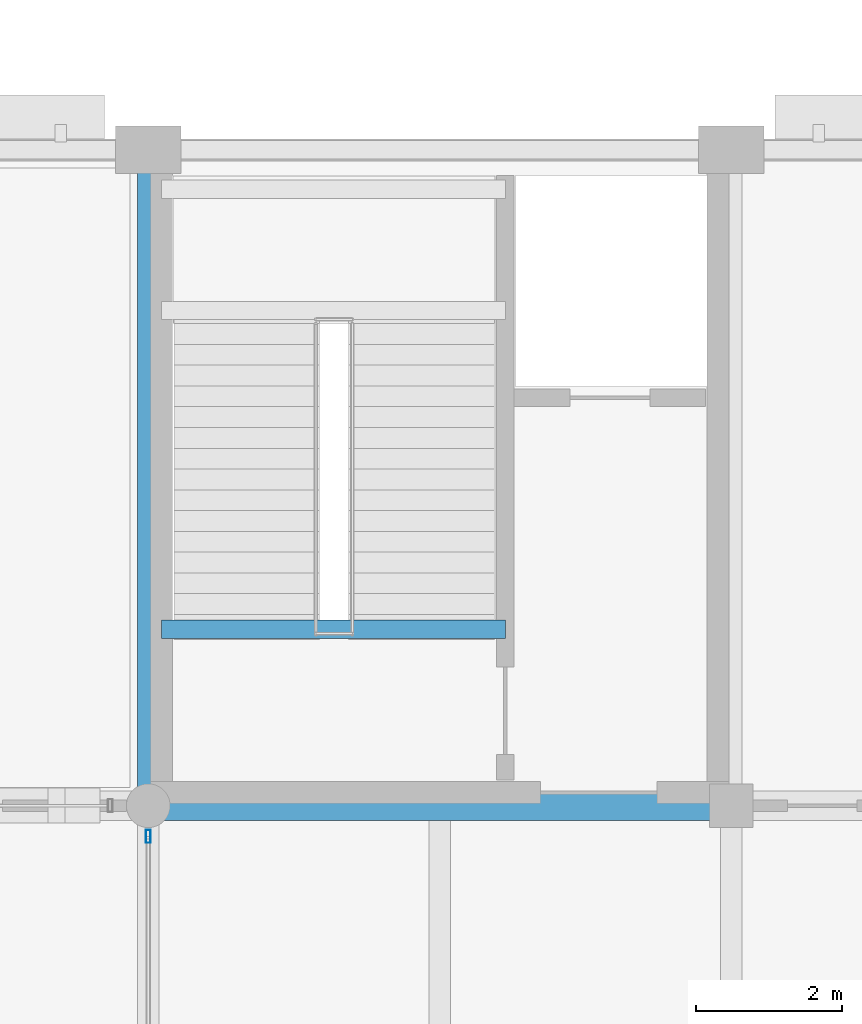
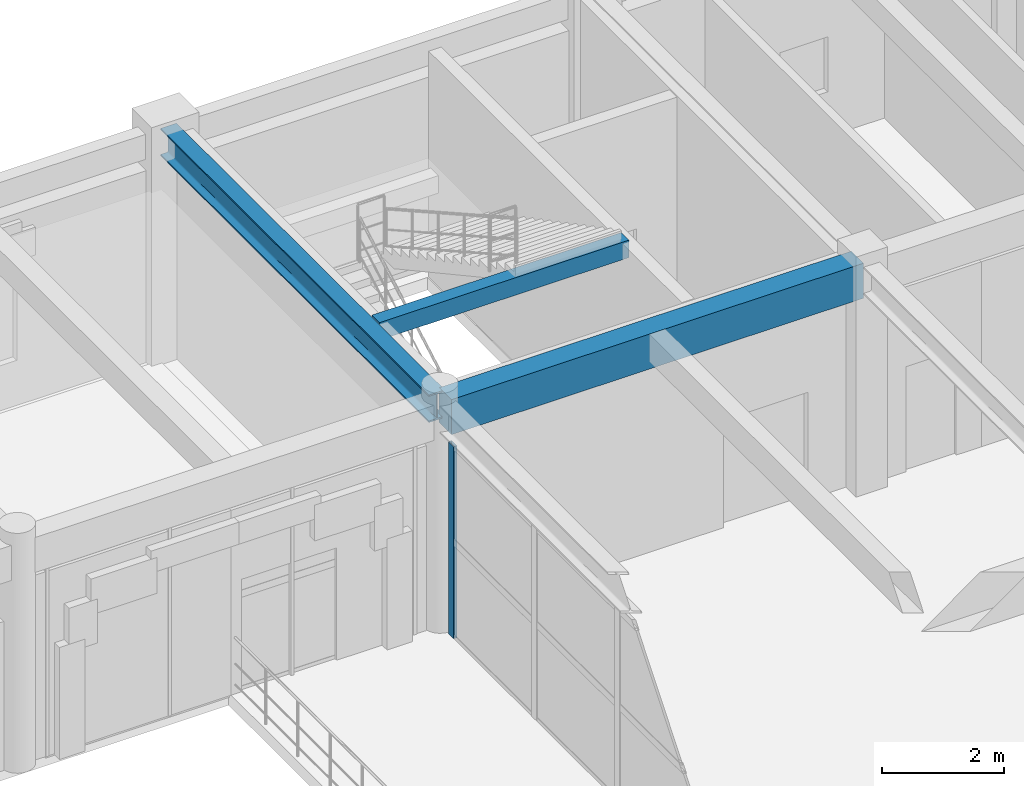
# One storey, part 71 of 144: 3 beams, 1 member, 1 element without a shape of its own.
"""IFC4 building model written with IfcOpenShell, lengths in metres."""

from ifc_helpers import new_model, si_unit, direction, frame, origin, origin_2d, place, context, subcontext, project, spatial, rectangle, hollow_rectangle, i_section, extrude, material, material_profile, profile_set, type_object, element, aggregate, save


model = new_model("IFC4")

# Units and contexts
model_context = context("Model", 3, precision=1e-05, world=origin(), true_north=direction((0.0, 1.0)))
body_context = subcontext(model_context, "Body", "Model", "MODEL_VIEW")
ifc_project = project(units=[si_unit("LENGTHUNIT", "METRE"), si_unit("AREAUNIT", "SQUARE_METRE"), si_unit("VOLUMEUNIT", "CUBIC_METRE"), si_unit("PLANEANGLEUNIT", "RADIAN"), si_unit("MASSUNIT", "GRAM", prefix="KILO")], contexts=[model_context])

# Site, building, storey
site_placement = place(None, origin())
site = spatial("IfcSite", under=ifc_project, at=site_placement, CompositionType="ELEMENT")
building_placement = place(site_placement, origin())
building = spatial("IfcBuilding", under=site, at=building_placement, Name="Varnabhumi Central Station", CompositionType="ELEMENT")
storey_placement = place(building_placement, frame((0.0, 0.0, 4.800048828125)))
storey = spatial("IfcBuildingStorey", under=building, at=storey_placement, Name="L01", CompositionType="ELEMENT", Elevation=4.800048828125)

# Beams
ifc_material_1 = material(Name="Concrete M35", Category="concrete")
ifc_material_profile_1 = material_profile(ifc_material_1, rectangle(XDim=0.25, YDim=0.35009765625, at=origin_2d()), Name="Concrete M35", Category="concrete")
ifc_profile_set_1 = profile_set([ifc_material_profile_1], Name="Concrete M35")
beam_type_1 = type_object("IfcBeamType", Name="BM-RC-250x350", PredefinedType="LINTEL", material=ifc_profile_set_1)
beam_1_placement = place(storey_placement, frame((80.179931640625, 109.419921875, 4.375), z_axis=(1.0, 0.0, 0.0), x_axis=(0.0, 1.0, 0.0)))
element("IfcBeam", 1, at=beam_1_placement, inside=storey, type_object=beam_type_1, Name="ST-N2 L01 Floor Opening Trimmer Beam", PredefinedType="LINTEL", context=body_context, shape_type="SweptSolid", body=[
    extrude(rectangle(XDim=0.25, YDim=0.35009765625, at=origin_2d()), origin(), (0.0, 0.0, 1.0), 4.719970703125),
])
ifc_material_2 = material(Name="Concrete M40", Category="concrete")
ifc_material_profile_2 = material_profile(ifc_material_2, rectangle(XDim=0.39990234375, YDim=0.699951171875, at=origin_2d()), Name="Concrete M40", Category="concrete")
ifc_profile_set_2 = profile_set([ifc_material_profile_2], Name="Concrete M40")
beam_type_2 = type_object("IfcBeamType", Name="BM-RC-400x700", PredefinedType="BEAM", material=ifc_profile_set_2)
beam_2_placement = place(storey_placement, frame((80.10009765625, 107.0, 4.199951171875), z_axis=(1.0, 0.0, 0.0), x_axis=(0.0, 1.0, 0.0)))
element("IfcBeam", 2, at=beam_2_placement, inside=storey, type_object=beam_type_2, Name="Beam L01-N:11-12", PredefinedType="BEAM", context=body_context, shape_type="SweptSolid", body=[
    extrude(rectangle(XDim=0.39990234375, YDim=0.699951171875, at=origin_2d()), origin(), (0.0, 0.0, 1.0), 7.7998046875),
])
ifc_material_3 = material(Name="Structural steel E350", Category="steel")
ifc_material_profile_3 = material_profile(ifc_material_3, i_section(OverallWidth=0.300048828125, OverallDepth=0.550048828125, WebThickness=0.014892578125, FlangeThickness=0.029052734375, FilletRadius=0.027099609375, at=origin_2d()), Name="Structural steel E350", Category="steel")
ifc_profile_set_3 = profile_set([ifc_material_profile_3], Name="Structural steel E350")
beam_type_3 = type_object("IfcBeamType", Name="BM-STL-WPB550", PredefinedType="BEAM", material=ifc_profile_set_3)
beam_3_placement = place(storey_placement, frame((80.0, 107.10009765625, 4.27490234375), z_axis=(0.0, 1.0, 0.0), x_axis=(-1.0, 0.0, 0.0)))
element("IfcBeam", 3, at=beam_3_placement, inside=storey, type_object=beam_type_3, Name="Beam L01-11:N-P", PredefinedType="BEAM", context=body_context, shape_type="SweptSolid", body=[
    extrude(i_section(OverallWidth=0.300048828125, OverallDepth=0.550048828125, WebThickness=0.014892578125, FlangeThickness=0.029052734375, FilletRadius=0.027099609375, at=origin_2d()), origin(), (0.0, 0.0, 1.0), 8.7998046875),
])

# Curtain wall, member
ifc_material_4 = material(Name="Anodised aluminium 6063-T6", Category="aluminium")
curtain_wall_type = type_object("IfcCurtainWallType", Name="CW-PATIO-LOGGIA-L1", PredefinedType="NOTDEFINED", material=ifc_material_4)
curtain_wall_placement = place(storey_placement, origin())
curtain_wall = element("IfcCurtainWall", 4, at=curtain_wall_placement, inside=storey, type_object=curtain_wall_type, Name="Curtain Wall CW-NP1W2", PredefinedType="NOTDEFINED")
ifc_material_profile_4 = material_profile(ifc_material_4, hollow_rectangle(XDim=0.06494140625, YDim=0.179931640625, WallThickness=0.00390625, InnerFilletRadius=0.001953125, OuterFilletRadius=0.006103515625, at=origin_2d()), Name="Anodised aluminium 6063-T6", Category="aluminium")
ifc_profile_set_4 = profile_set([ifc_material_profile_4], Name="Anodised aluminium 6063-T6")
member_type = type_object("IfcMemberType", Name="CW-MUL-180", PredefinedType="MULLION", material=ifc_profile_set_4)
member_placement = place(storey_placement, frame((80.0, 106.580078125, 0.0), z_axis=(0.0, 0.0, 1.0), x_axis=(1.0, 0.0, 0.0)))
member = element("IfcMember", 5, at=member_placement, type_object=member_type, Name="Curtain Wall Mullion CW-NP1W2-M4", PredefinedType="MULLION", context=body_context, shape_type="SweptSolid", body=[
    extrude(hollow_rectangle(XDim=0.06494140625, YDim=0.179931640625, WallThickness=0.00390625, InnerFilletRadius=0.001953125, OuterFilletRadius=0.006103515625, at=origin_2d()), origin(), (0.0, 0.0, 1.0), 3.83984375),
])
aggregate(curtain_wall, [member])

save(model, "model.ifc")
